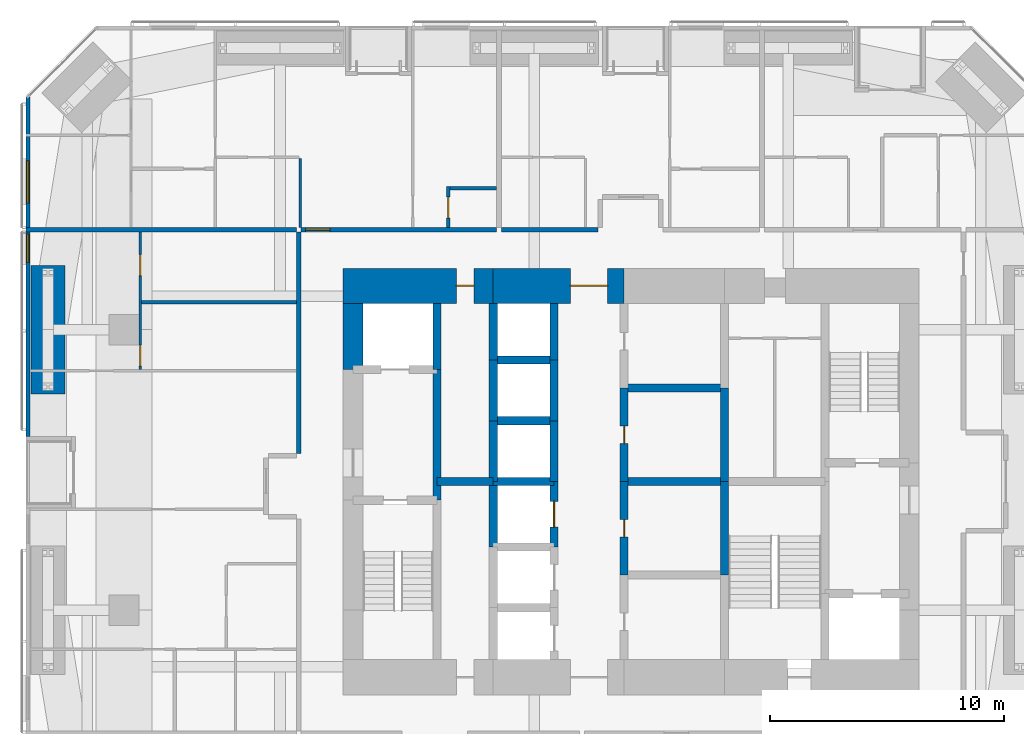
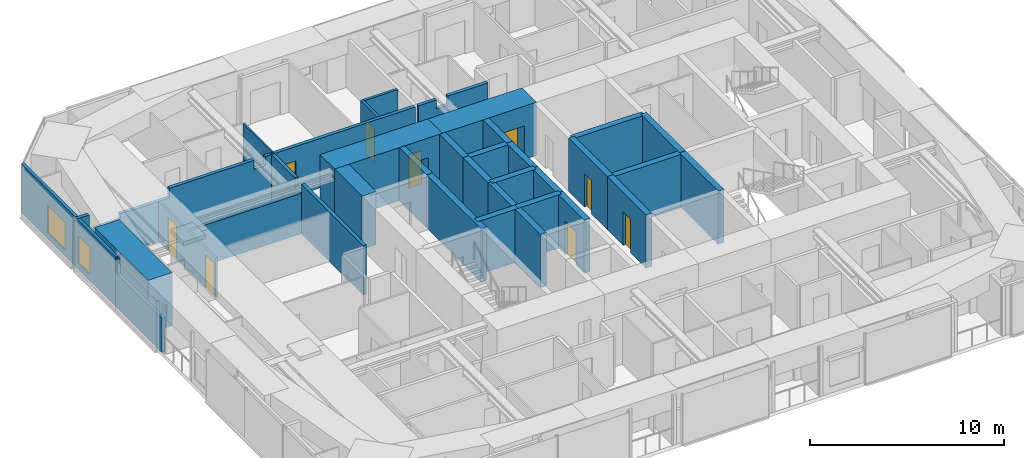
# One storey, part 19 of 24: 34 walls, 9 doors, 2 windows, 11 openings.
"""IFC4 building model written with IfcOpenShell, lengths in metres."""

import ifcopenshell
import ifcopenshell.guid

model = None  # the IFC model being written
_history = None  # IfcOwnerHistory: only IFC2X3 demands one
_inside = {}  # id of a spatial element -> (the spatial element, [elements in it])
_under = {}  # id of a project, library or spatial element -> (it, [spatial elements below it])
_declared = {}  # id of a project -> (the project, [libraries it declares])
_typed = {}  # id of a type object -> (the type object, [elements of that type])
_made_of = {}  # id of a material, layer set ... -> (it, [elements and type objects made of it])


def new_model(schema):
    """Start an empty IFC model of exactly this schema.

    Asked for "IFC4X3", IfcOpenShell would pick the latest addendum, in which some entities
    have other attributes; the version numbers below select the first issue.
    IFC2X3 requires an IfcOwnerHistory on every rooted entity: one is made here for all.
    """
    global model, _history
    if schema == "IFC4X3":
        model = ifcopenshell.file(schema_version=(4, 3, 0, 0))
    else:
        model = ifcopenshell.file(schema=schema)
    _inside.clear()
    _under.clear()
    _declared.clear()
    _typed.clear()
    _made_of.clear()
    _history = None
    if model.schema == "IFC2X3":
        org = make("IfcOrganization", Name="unknown")
        user = make(
            "IfcPersonAndOrganization",
            ThePerson=make("IfcPerson", FamilyName="unknown"),
            TheOrganization=org,
        )
        app = make(
            "IfcApplication",
            ApplicationDeveloper=org,
            Version="unknown",
            ApplicationFullName="unknown",
            ApplicationIdentifier="unknown",
        )
        _history = make(
            "IfcOwnerHistory",
            OwningUser=user,
            OwningApplication=app,
            ChangeAction="ADDED",
            CreationDate=0,
        )
    return model


def make(cls, **values):
    """One entity of the class cls with the attributes given. An attribute that is None is left unset."""
    return model.create_entity(
        cls, **{name: value for name, value in values.items() if value is not None}
    )


def rooted(cls, **values):
    """An entity with a GlobalId (a new one), such as an element, a storey or a relation."""
    return make(cls, GlobalId=ifcopenshell.guid.new(), OwnerHistory=_history, **values)


def si_unit(unit_type, name, prefix=None):
    """IfcSIUnit, for example si_unit("LENGTHUNIT", "METRE", prefix="MILLI")."""
    return make("IfcSIUnit", UnitType=unit_type, Prefix=prefix, Name=name)


def assignment(units):
    """IfcUnitAssignment: the units of a project."""
    return None if units is None else make("IfcUnitAssignment", Units=units)


def point(xyz):
    """IfcCartesianPoint."""
    return None if xyz is None else make("IfcCartesianPoint", Coordinates=xyz)


def direction(xyz):
    """IfcDirection."""
    return None if xyz is None else make("IfcDirection", DirectionRatios=xyz)


def frame(location, z_axis=None, x_axis=None):
    """IfcAxis2Placement3D, a coordinate frame: its origin and axes. An axis left out is left unset."""
    return make(
        "IfcAxis2Placement3D",
        Location=point(location),
        Axis=direction(z_axis),
        RefDirection=direction(x_axis),
    )


def frame_2d(location, x_axis=None):
    """IfcAxis2Placement2D, a coordinate frame in the plane: its origin and x axis."""
    return make(
        "IfcAxis2Placement2D", Location=point(location), RefDirection=direction(x_axis)
    )


def origin():
    """The frame at (0, 0, 0) with its axes left unset."""
    return frame((0.0, 0.0, 0.0))


def place(relative_to, where):
    """IfcLocalPlacement: puts the frame where relative to a parent placement (None: the world)."""
    return make(
        "IfcLocalPlacement", PlacementRelTo=relative_to, RelativePlacement=where
    )


def context(
    kind, dimensions, precision=None, world=None, true_north=None, identifier=None
):
    """IfcGeometricRepresentationContext, for example the 3D "Model" context."""
    return make(
        "IfcGeometricRepresentationContext",
        ContextIdentifier=identifier,
        ContextType=kind,
        CoordinateSpaceDimension=dimensions,
        Precision=precision,
        WorldCoordinateSystem=world,
        TrueNorth=true_north,
    )


def subcontext(parent, identifier, kind, view, scale=None):
    """IfcGeometricRepresentationSubContext, for example "Body" below "Model"."""
    return make(
        "IfcGeometricRepresentationSubContext",
        ContextIdentifier=identifier,
        ContextType=kind,
        ParentContext=parent,
        TargetScale=scale,
        TargetView=view,
    )


def project(units=None, contexts=None):
    """IfcProject with its units and contexts."""
    return rooted(
        "IfcProject",
        Name="project",
        RepresentationContexts=contexts,
        UnitsInContext=assignment(units),
    )


def spatial(cls, under=None, at=None, **own):
    """A site, building, storey or space (cls), placed at a placement, below another one or the project."""
    s = rooted(cls, ObjectPlacement=at, **own)
    if under is not None:
        _under.setdefault(under.id(), (under, []))[1].append(s)
    return s


def polyline(points):
    """IfcPolyline through the points."""
    return make("IfcPolyline", Points=[point(p) for p in points])


def profile(cls, at=None, kind="AREA", **sizes):
    """A parametric profile (cls). Its sizes go by their IFC names, for example OverallWidth=200.0."""
    return make(cls, ProfileType=kind, Position=at, **sizes)


def rectangle(**sizes):
    """IfcRectangleProfileDef."""
    return profile("IfcRectangleProfileDef", **sizes)


def outline(outer, holes=None, kind="AREA"):
    """IfcArbitraryClosedProfileDef: a profile drawn as a closed curve; with holes, ...WithVoids."""
    if holes is None:
        return make("IfcArbitraryClosedProfileDef", ProfileType=kind, OuterCurve=outer)
    return make(
        "IfcArbitraryProfileDefWithVoids",
        ProfileType=kind,
        OuterCurve=outer,
        InnerCurves=holes,
    )


def extrude(swept, where, along, depth):
    """IfcExtrudedAreaSolid: the profile swept, set in the frame where, extruded along a direction by depth."""
    return make(
        "IfcExtrudedAreaSolid",
        SweptArea=swept,
        Position=where,
        ExtrudedDirection=direction(along),
        Depth=depth,
    )


def shape(context_of_items, identifier, shape_type, items):
    """IfcShapeRepresentation: the items that make up one representation, for example the "Body"."""
    return make(
        "IfcShapeRepresentation",
        ContextOfItems=context_of_items,
        RepresentationIdentifier=identifier,
        RepresentationType=shape_type,
        Items=items,
    )


def material(Name=None, Category=None):
    """IfcMaterial."""
    return make("IfcMaterial", Name=Name, Category=Category)


def layer(
    of_material, thickness, ventilated=None, Name=None, Category=None, Priority=None
):
    """IfcMaterialLayer: one layer of a wall or slab, of a material (None: an air gap)."""
    return make(
        "IfcMaterialLayer",
        Material=of_material,
        LayerThickness=thickness,
        IsVentilated=ventilated,
        Name=Name,
        Category=Category,
        Priority=Priority,
    )


def layer_set(layers, Name=None):
    """IfcMaterialLayerSet."""
    return make("IfcMaterialLayerSet", MaterialLayers=layers, LayerSetName=Name)


def constituent(of_material, Name=None, Category=None, fraction=None):
    """IfcMaterialConstituent: one of the materials an element consists of."""
    return make(
        "IfcMaterialConstituent",
        Name=Name,
        Material=of_material,
        Fraction=fraction,
        Category=Category,
    )


def constituent_set(constituents=None, Name=None):
    """IfcMaterialConstituentSet."""
    return make(
        "IfcMaterialConstituentSet", Name=Name, MaterialConstituents=constituents
    )


def made_of(thing, what):
    """Note that an element or type object is made of a material, layer set ...; save() writes the relation."""
    if what is not None:
        _made_of.setdefault(what.id(), (what, []))[1].append(thing)
    return thing


def type_object(cls, material=None, **own):
    """A type object (cls), such as IfcWallType, which elements share."""
    return made_of(rooted(cls, **own), material)


def element(
    cls,
    number,
    at=None,
    inside=None,
    cuts=None,
    type_object=None,
    material=None,
    context=None,
    identifier="Body",
    shape_type=None,
    held_by="IfcProductDefinitionShape",
    body=None,
    shapes=None,
    **own,
):
    """One element of the class cls, such as IfcWall. Its Tag is "e" and its number.

    at: its placement. inside: the storey or other place that contains it. cuts: it is an
    opening in that element (IfcRelVoidsElement). A single representation is given by context,
    identifier, shape_type and body (its items); several are given by shapes. held_by: the class
    of the entity that holds the representations. save() writes the other relations.
    """
    e = rooted(cls, Tag="e%d" % number, ObjectPlacement=at, **own)
    if body is not None:
        shapes = [shape(context, identifier, shape_type, body)]
    if shapes is not None:
        e.Representation = make(held_by, Representations=shapes)
    if inside is not None:
        _inside.setdefault(inside.id(), (inside, []))[1].append(e)
    if cuts is not None:
        rooted(
            "IfcRelVoidsElement", RelatingBuildingElement=cuts, RelatedOpeningElement=e
        )
    if type_object is not None:
        _typed.setdefault(type_object.id(), (type_object, []))[1].append(e)
    return made_of(e, material)


def fill(opening, filler):
    """IfcRelFillsElement: the door or window that sits in an opening."""
    return rooted(
        "IfcRelFillsElement",
        RelatingOpeningElement=opening,
        RelatedBuildingElement=filler,
    )


def aggregate(whole, parts):
    """IfcRelAggregates: a whole, such as a stair, and the parts it consists of."""
    return rooted("IfcRelAggregates", RelatingObject=whole, RelatedObjects=parts)


def save(model, path):
    """Write the relations noted so far, then the file.

    IfcRelAggregates (storeys below a building ...), IfcRelContainedInSpatialStructure (elements
    in a storey), IfcRelDefinesByType, IfcRelAssociatesMaterial and IfcRelDeclares: one each for
    every whole, place, type object, material and project.
    """
    for whole, parts in _under.values():
        aggregate(whole, parts)
    for where, things in _inside.values():
        rooted(
            "IfcRelContainedInSpatialStructure",
            RelatedElements=things,
            RelatingStructure=where,
        )
    for kind, things in _typed.values():
        rooted("IfcRelDefinesByType", RelatedObjects=things, RelatingType=kind)
    for what, things in _made_of.values():
        rooted("IfcRelAssociatesMaterial", RelatedObjects=things, RelatingMaterial=what)
    for by, libraries in _declared.values():
        rooted("IfcRelDeclares", RelatingContext=by, RelatedDefinitions=libraries)
    model.write(path)


model = new_model("IFC4")

# Units and contexts
model_context = context("Model", 3, precision=1e-05, world=origin(), true_north=direction((0.0, 1.0)))
body_context = subcontext(model_context, "Body", "Model", "MODEL_VIEW")
ifc_project = project(units=[si_unit("LENGTHUNIT", "METRE"), si_unit("AREAUNIT", "SQUARE_METRE"), si_unit("VOLUMEUNIT", "CUBIC_METRE"), si_unit("PLANEANGLEUNIT", "RADIAN"), si_unit("MASSUNIT", "GRAM", prefix="KILO")], contexts=[model_context])

# Site, building, storey
site_placement = place(None, origin())
site = spatial("IfcSite", under=ifc_project, at=site_placement, CompositionType="ELEMENT")
building_placement = place(site_placement, origin())
building = spatial("IfcBuilding", under=site, at=building_placement, Name="Jalousie Tower", CompositionType="ELEMENT")
storey_placement = place(building_placement, frame((0.0, 0.0, 91.449951171875)))
storey = spatial("IfcBuildingStorey", under=building, at=storey_placement, Name="L24", CompositionType="ELEMENT", Elevation=91.449951171875)

# Wall, opening, door
ifc_material_1 = material(Name="Concrete block ASTM C90", Category="concrete")
ifc_constituent_1 = constituent(ifc_material_1, Name="Body")
ifc_material_2 = material(Name="Render")
ifc_constituent_2 = constituent(ifc_material_2, Name="Finish")
ifc_constituent_set_1 = constituent_set(constituents=[ifc_constituent_1, ifc_constituent_2])
wall_type_1 = type_object("IfcWallType", Name="BATHROOM WALL 150", PredefinedType="PLUMBINGWALL", material=ifc_constituent_set_1)
wall_1_placement = place(storey_placement, frame((24.074951171875, 29.375, 0.0), z_axis=(0.0, 0.0, 1.0), x_axis=(0.0, 1.0, 0.0)))
wall_1 = element("IfcWall", 1, at=wall_1_placement, inside=storey, type_object=wall_type_1, Name="Bathroom Wall 150 L24", PredefinedType="PLUMBINGWALL", context=body_context, shape_type="SweptSolid", body=[
    extrude(rectangle(XDim=1.75, YDim=0.14990234375, at=frame_2d((0.875, 0.0))), origin(), (0.0, 0.0, 1.0), 3.110107421875),
])
opening_1_placement = place(wall_1_placement, frame((0.39990234375, 0.0, 0.0)))
opening_1 = element("IfcOpeningElement", 2, at=opening_1_placement, cuts=wall_1, Name="Opening D7", PredefinedType="OPENING", context=body_context, shape_type="SweptSolid", body=[
    extrude(rectangle(XDim=0.89990234375, YDim=2.10009765625, at=frame_2d((0.449951171875, 1.050048828125))), frame((0.0, 0.0849609375, 0.0), z_axis=(0.0, -1.0, 0.0), x_axis=(1.0, 0.0, 0.0)), (0.0, 0.0, 1.0), 0.169921875),
])
ifc_material_3 = material(Name="Timber door", Category="wood")
door_type_1 = type_object("IfcDoorType", Name="INTERNAL DOOR 900", OperationType="SINGLE_SWING_LEFT", PredefinedType="DOOR", material=ifc_material_3)
door_1_placement = place(opening_1_placement, frame((0.89990234375, 0.0, 0.0), z_axis=(0.0, 0.0, 1.0), x_axis=(-1.0, 0.0, 0.0)))
door_1 = element("IfcDoor", 3, at=door_1_placement, inside=storey, type_object=door_type_1, Name="Apartment 2404 guest WC door", OperationType="SINGLE_SWING_LEFT", OverallHeight=2.10009765625, OverallWidth=0.89990234375, PredefinedType="DOOR", context=body_context, shape_type="SweptSolid", body=[
    extrude(rectangle(XDim=0.89990234375, YDim=2.10009765625, at=frame_2d((0.449951171875, 1.050048828125))), frame((0.0, 0.02490234375, 0.0), z_axis=(0.0, -1.0, 0.0), x_axis=(1.0, 0.0, 0.0)), (0.0, 0.0, 1.0), 0.050048828125),
])
fill(opening_1, door_1)

# Walls
wall_2_placement = place(storey_placement, frame((26.14990234375, 31.050048828125, 0.0), z_axis=(0.0, 0.0, 1.0), x_axis=(-1.0, 0.0, 0.0)))
element("IfcWall", 4, at=wall_2_placement, inside=storey, type_object=wall_type_1, Name="Bathroom Wall 150 L24", PredefinedType="PLUMBINGWALL", context=body_context, shape_type="SweptSolid", body=[
    extrude(rectangle(XDim=2.0, YDim=0.14990234375, at=frame_2d((1.0, 0.0))), origin(), (0.0, 0.0, 1.0), 3.110107421875),
])
wall_3_placement = place(storey_placement, frame((10.949951171875, 26.166748046875, 0.0), z_axis=(0.0, 0.0, 1.0), x_axis=(1.0, 0.0, 0.0)))
element("IfcWall", 5, at=wall_3_placement, inside=storey, type_object=wall_type_1, Name="Bathroom Wall 150 L24", PredefinedType="PLUMBINGWALL", context=body_context, shape_type="SweptSolid", body=[
    extrude(outline(polyline([(0.0, 0.0), (6.625, 0.0), (6.625, 3.110107421875), (6.625, 2.541015625), (0.534912109375, 2.541015625), (0.534912109375, 2.510009765625), (0.0, 2.510009765625), (0.0, 3.110107421875), (0.0, 0.0)])), frame((0.0, 0.074951171875, 0.0), z_axis=(0.0, -1.0, 0.0), x_axis=(1.0, 0.0, 0.0)), (0.0, 0.0, 1.0), 0.14990234375),
])

# Wall, opening, door
ifc_material_4 = material(Name="Concrete f'c 120 MPa", Category="concrete")
ifc_layer_1 = layer(ifc_material_4, 1.5)
ifc_layer_set_1 = layer_set([ifc_layer_1], Name="Concrete f'c 120 MPa")
wall_type_2 = type_object("IfcWallType", Name="CORE WALL 1500", PredefinedType="SHEAR", material=ifc_layer_set_1)
wall_4_placement = place(storey_placement, frame((31.60009765625, 26.875, 0.0), z_axis=(0.0, 0.0, 1.0), x_axis=(-1.0, 0.0, 0.0)))
wall_4 = element("IfcWall", 6, at=wall_4_placement, inside=storey, type_object=wall_type_2, Name="Core wall NC L24", PredefinedType="SHEAR", context=body_context, shape_type="SweptSolid", body=[
    extrude(rectangle(XDim=5.60009765625, YDim=1.5, at=frame_2d((2.800048828125, 0.0))), origin(), (0.0, 0.0, 1.0), 3.35009765625),
])
opening_2_placement = place(wall_4_placement, frame((0.699951171875, 0.0, 0.0)))
opening_2 = element("IfcOpeningElement", 7, at=opening_2_placement, cuts=wall_4, Name="Opening D15", PredefinedType="OPENING", context=body_context, shape_type="SweptSolid", body=[
    extrude(rectangle(XDim=1.60009765625, YDim=2.10009765625, at=frame_2d((0.800048828125, 1.050048828125))), frame((0.0, 0.760009765625, 0.0), z_axis=(0.0, -1.0, 0.0), x_axis=(1.0, 0.0, 0.0)), (0.0, 0.0, 1.0), 1.52001953125),
])
ifc_material_5 = material(Name="Steel fire door", Category="steel")
door_type_2 = type_object("IfcDoorType", Name="LIFT LOBBY DOOR 1600", OperationType="DOUBLE_DOOR_SINGLE_SWING", PredefinedType="DOOR", material=ifc_material_5)
door_2_placement = place(opening_2_placement, origin())
door_2 = element("IfcDoor", 8, at=door_2_placement, inside=storey, type_object=door_type_2, Name="Lift lobby north door", OperationType="DOUBLE_DOOR_SINGLE_SWING", OverallHeight=2.10009765625, OverallWidth=1.60009765625, PredefinedType="DOOR", context=body_context, shape_type="SweptSolid", body=[
    extrude(rectangle(XDim=1.60009765625, YDim=2.10009765625, at=frame_2d((0.800048828125, 1.050048828125))), frame((0.0, 0.02490234375, 0.0), z_axis=(0.0, -1.0, 0.0), x_axis=(1.0, 0.0, 0.0)), (0.0, 0.0, 1.0), 0.050048828125),
])
fill(opening_2, door_2)

wall_5_placement = place(storey_placement, frame((26.0, 26.875, 0.0), z_axis=(0.0, 0.0, 1.0), x_axis=(-1.0, 0.0, 0.0)))
wall_5 = element("IfcWall", 9, at=wall_5_placement, inside=storey, type_object=wall_type_2, Name="Core wall ND L24", PredefinedType="SHEAR", context=body_context, shape_type="SweptSolid", body=[
    extrude(rectangle(XDim=6.425048828125, YDim=1.5, at=frame_2d((3.21240234375, 0.0))), origin(), (0.0, 0.0, 1.0), 3.35009765625),
])
opening_3_placement = place(wall_5_placement, frame((0.824951171875, 0.0, 0.0)))
opening_3 = element("IfcOpeningElement", 10, at=opening_3_placement, cuts=wall_5, Name="Opening D16", PredefinedType="OPENING", context=body_context, shape_type="SweptSolid", body=[
    extrude(rectangle(XDim=0.75, YDim=2.10009765625, at=frame_2d((0.375, 1.050048828125))), frame((0.0, 0.760009765625, 0.0), z_axis=(0.0, -1.0, 0.0), x_axis=(1.0, 0.0, 0.0)), (0.0, 0.0, 1.0), 1.52001953125),
])
ifc_material_6 = material(Name="Steel fire door", Category="steel")
door_type_3 = type_object("IfcDoorType", Name="RISER DOOR 750", OperationType="SINGLE_SWING_LEFT", PredefinedType="DOOR", material=ifc_material_6)
door_3_placement = place(opening_3_placement, origin())
door_3 = element("IfcDoor", 11, at=door_3_placement, inside=storey, type_object=door_type_3, Name="North riser door", OperationType="SINGLE_SWING_RIGHT", OverallHeight=2.10009765625, OverallWidth=0.75, PredefinedType="DOOR", context=body_context, shape_type="SweptSolid", body=[
    extrude(rectangle(XDim=0.75, YDim=2.10009765625, at=frame_2d((0.375, 1.050048828125))), frame((0.0, 0.02490234375, 0.0), z_axis=(0.0, -1.0, 0.0), x_axis=(1.0, 0.0, 0.0)), (0.0, 0.0, 1.0), 0.050048828125),
])
fill(opening_3, door_3)

# Walls
ifc_material_7 = material(Name="Concrete f'c 120 MPa", Category="concrete")
ifc_layer_2 = layer(ifc_material_7, 0.35009765625)
ifc_layer_set_2 = layer_set([ifc_layer_2], Name="Concrete f'c 120 MPa")
wall_type_3 = type_object("IfcWallType", Name="CORE WALL 350", PredefinedType="SHEAR", material=ifc_layer_set_2)
wall_6_placement = place(storey_placement, frame((23.60009765625, 17.699951171875, 0.0), z_axis=(0.0, 0.0, 1.0), x_axis=(0.0, 1.0, 0.0)))
element("IfcWall", 12, at=wall_6_placement, inside=storey, type_object=wall_type_3, Name="Core wall X23.6B L24", PredefinedType="SHEAR", context=body_context, shape_type="SweptSolid", body=[
    extrude(rectangle(XDim=5.60009765625, YDim=0.35009765625, at=frame_2d((2.800048828125, 0.0))), origin(), (0.0, 0.0, 1.0), 3.35009765625),
])
wall_7_placement = place(storey_placement, frame((23.60009765625, 23.300048828125, 0.0), z_axis=(0.0, 0.0, 1.0), x_axis=(0.0, 1.0, 0.0)))
element("IfcWall", 13, at=wall_7_placement, inside=storey, type_object=wall_type_3, Name="Core wall X23.6C L24", PredefinedType="SHEAR", context=body_context, shape_type="SweptSolid", body=[
    extrude(rectangle(XDim=2.824951171875, YDim=0.35009765625, at=frame_2d((1.41259765625, 0.0))), origin(), (0.0, 0.0, 1.0), 3.35009765625),
])
wall_8_placement = place(storey_placement, frame((26.0, 15.699951171875, 0.0), z_axis=(0.0, 0.0, 1.0), x_axis=(0.0, 1.0, 0.0)))
element("IfcWall", 14, at=wall_8_placement, inside=storey, type_object=wall_type_3, Name="Core wall X26C L24", PredefinedType="SHEAR", context=body_context, shape_type="SweptSolid", body=[
    extrude(rectangle(XDim=2.800048828125, YDim=0.35009765625, at=frame_2d((1.39990234375, 0.0))), origin(), (0.0, 0.0, 1.0), 3.35009765625),
])
wall_9_placement = place(storey_placement, frame((26.0, 18.5, 0.0), z_axis=(0.0, 0.0, 1.0), x_axis=(0.0, 1.0, 0.0)))
element("IfcWall", 15, at=wall_9_placement, inside=storey, type_object=wall_type_3, Name="Core wall X26D L24", PredefinedType="SHEAR", context=body_context, shape_type="SweptSolid", body=[
    extrude(rectangle(XDim=2.60009765625, YDim=0.35009765625, at=frame_2d((1.300048828125, 0.0))), origin(), (0.0, 0.0, 1.0), 3.35009765625),
])
wall_10_placement = place(storey_placement, frame((26.0, 21.10009765625, 0.0), z_axis=(0.0, 0.0, 1.0), x_axis=(0.0, 1.0, 0.0)))
element("IfcWall", 16, at=wall_10_placement, inside=storey, type_object=wall_type_3, Name="Core wall X26E L24", PredefinedType="SHEAR", context=body_context, shape_type="SweptSolid", body=[
    extrude(rectangle(XDim=2.599853515625, YDim=0.35009765625, at=frame_2d((1.2998046875, 0.0))), origin(), (0.0, 0.0, 1.0), 3.35009765625),
])
wall_11_placement = place(storey_placement, frame((26.0, 23.699951171875, 0.0), z_axis=(0.0, 0.0, 1.0), x_axis=(0.0, 1.0, 0.0)))
element("IfcWall", 17, at=wall_11_placement, inside=storey, type_object=wall_type_3, Name="Core wall X26F L24", PredefinedType="SHEAR", context=body_context, shape_type="SweptSolid", body=[
    extrude(rectangle(XDim=2.425048828125, YDim=0.35009765625, at=frame_2d((1.21240234375, 0.0))), origin(), (0.0, 0.0, 1.0), 3.35009765625),
])

# Wall, opening, door
wall_12_placement = place(storey_placement, frame((28.60009765625, 15.699951171875, 0.0), z_axis=(0.0, 0.0, 1.0), x_axis=(0.0, 1.0, 0.0)))
wall_12 = element("IfcWall", 18, at=wall_12_placement, inside=storey, type_object=wall_type_3, Name="Core wall X28.6C L24", PredefinedType="SHEAR", context=body_context, shape_type="SweptSolid", body=[
    extrude(rectangle(XDim=2.800048828125, YDim=0.35009765625, at=frame_2d((1.39990234375, 0.0))), origin(), (0.0, 0.0, 1.0), 3.35009765625),
])
opening_4_placement = place(wall_12_placement, frame((0.85009765625, 0.0, 0.0)))
opening_4 = element("IfcOpeningElement", 19, at=opening_4_placement, cuts=wall_12, Name="Opening LD1", PredefinedType="OPENING", context=body_context, shape_type="SweptSolid", body=[
    extrude(rectangle(XDim=1.10009765625, YDim=2.10009765625, at=frame_2d((0.550048828125, 1.050048828125))), frame((0.0, 0.18505859375, 0.0), z_axis=(0.0, -1.0, 0.0), x_axis=(1.0, 0.0, 0.0)), (0.0, 0.0, 1.0), 0.3701171875),
])
ifc_material_8 = material(Name="Steel lift landing door", Category="steel")
door_type_4 = type_object("IfcDoorType", Name="LIFT LANDING DOOR 1100", OperationType="SLIDING_TO_LEFT", PredefinedType="DOOR", material=ifc_material_8)
door_4_placement = place(opening_4_placement, origin())
door_4 = element("IfcDoor", 20, at=door_4_placement, inside=storey, type_object=door_type_4, Name="Lift P3 landing door", OperationType="SLIDING_TO_LEFT", OverallHeight=2.10009765625, OverallWidth=1.10009765625, PredefinedType="DOOR", context=body_context, shape_type="SweptSolid", body=[
    extrude(rectangle(XDim=1.10009765625, YDim=2.10009765625, at=frame_2d((0.550048828125, 1.050048828125))), frame((0.0, 0.02490234375, 0.0), z_axis=(0.0, -1.0, 0.0), x_axis=(1.0, 0.0, 0.0)), (0.0, 0.0, 1.0), 0.050048828125),
])
fill(opening_4, door_4)

# Walls
wall_13_placement = place(storey_placement, frame((28.60009765625, 18.5, 0.0), z_axis=(0.0, 0.0, 1.0), x_axis=(0.0, 1.0, 0.0)))
element("IfcWall", 21, at=wall_13_placement, inside=storey, type_object=wall_type_3, Name="Core wall X28.6D L24", PredefinedType="SHEAR", context=body_context, shape_type="SweptSolid", body=[
    extrude(rectangle(XDim=2.60009765625, YDim=0.35009765625, at=frame_2d((1.300048828125, 0.0))), origin(), (0.0, 0.0, 1.0), 3.35009765625),
])
wall_14_placement = place(storey_placement, frame((28.60009765625, 21.10009765625, 0.0), z_axis=(0.0, 0.0, 1.0), x_axis=(0.0, 1.0, 0.0)))
element("IfcWall", 22, at=wall_14_placement, inside=storey, type_object=wall_type_3, Name="Core wall X28.6E L24", PredefinedType="SHEAR", context=body_context, shape_type="SweptSolid", body=[
    extrude(rectangle(XDim=2.599853515625, YDim=0.35009765625, at=frame_2d((1.2998046875, 0.0))), origin(), (0.0, 0.0, 1.0), 3.35009765625),
])
wall_15_placement = place(storey_placement, frame((28.60009765625, 23.699951171875, 0.0), z_axis=(0.0, 0.0, 1.0), x_axis=(0.0, 1.0, 0.0)))
element("IfcWall", 23, at=wall_15_placement, inside=storey, type_object=wall_type_3, Name="Core wall X28.6F L24", PredefinedType="SHEAR", context=body_context, shape_type="SweptSolid", body=[
    extrude(rectangle(XDim=2.425048828125, YDim=0.35009765625, at=frame_2d((1.21240234375, 0.0))), origin(), (0.0, 0.0, 1.0), 3.35009765625),
])

# Wall, opening, door
wall_16_placement = place(storey_placement, frame((31.60009765625, 14.5, 0.0), z_axis=(0.0, 0.0, 1.0), x_axis=(0.0, 1.0, 0.0)))
wall_16 = element("IfcWall", 24, at=wall_16_placement, inside=storey, type_object=wall_type_3, Name="Core wall X31.6B L24", PredefinedType="SHEAR", context=body_context, shape_type="SweptSolid", body=[
    extrude(rectangle(XDim=4.0, YDim=0.35009765625, at=frame_2d((2.0, 0.0))), origin(), (0.0, 0.0, 1.0), 3.35009765625),
])
opening_5_placement = place(wall_16_placement, frame((1.625, 0.0, 0.0)))
opening_5 = element("IfcOpeningElement", 25, at=opening_5_placement, cuts=wall_16, Name="Opening D16", PredefinedType="OPENING", context=body_context, shape_type="SweptSolid", body=[
    extrude(rectangle(XDim=0.75, YDim=2.10009765625, at=frame_2d((0.375, 1.050048828125))), frame((0.0, 0.18505859375, 0.0), z_axis=(0.0, -1.0, 0.0), x_axis=(1.0, 0.0, 0.0)), (0.0, 0.0, 1.0), 0.3701171875),
])
door_5_placement = place(opening_5_placement, frame((0.75, 0.0, 0.0), z_axis=(0.0, 0.0, 1.0), x_axis=(-1.0, 0.0, 0.0)))
door_5 = element("IfcDoor", 26, at=door_5_placement, inside=storey, type_object=door_type_3, Name="Electrical Room door", OperationType="SINGLE_SWING_RIGHT", OverallHeight=2.10009765625, OverallWidth=0.75, PredefinedType="DOOR", context=body_context, shape_type="SweptSolid", body=[
    extrude(rectangle(XDim=0.75, YDim=2.10009765625, at=frame_2d((0.375, 1.050048828125))), frame((0.0, 0.02490234375, 0.0), z_axis=(0.0, -1.0, 0.0), x_axis=(1.0, 0.0, 0.0)), (0.0, 0.0, 1.0), 0.050048828125),
])
fill(opening_5, door_5)

wall_17_placement = place(storey_placement, frame((31.60009765625, 18.5, 0.0), z_axis=(0.0, 0.0, 1.0), x_axis=(0.0, 1.0, 0.0)))
wall_17 = element("IfcWall", 27, at=wall_17_placement, inside=storey, type_object=wall_type_3, Name="Core wall X31.6C L24", PredefinedType="SHEAR", context=body_context, shape_type="SweptSolid", body=[
    extrude(rectangle(XDim=4.0, YDim=0.35009765625, at=frame_2d((2.0, 0.0))), origin(), (0.0, 0.0, 1.0), 3.35009765625),
])
opening_6_placement = place(wall_17_placement, frame((1.625, 0.0, 0.0)))
opening_6 = element("IfcOpeningElement", 28, at=opening_6_placement, cuts=wall_17, Name="Opening D16", PredefinedType="OPENING", context=body_context, shape_type="SweptSolid", body=[
    extrude(rectangle(XDim=0.75, YDim=2.10009765625, at=frame_2d((0.375, 1.050048828125))), frame((0.0, 0.18505859375, 0.0), z_axis=(0.0, -1.0, 0.0), x_axis=(1.0, 0.0, 0.0)), (0.0, 0.0, 1.0), 0.3701171875),
])
door_6_placement = place(opening_6_placement, frame((0.75, 0.0, 0.0), z_axis=(0.0, 0.0, 1.0), x_axis=(-1.0, 0.0, 0.0)))
door_6 = element("IfcDoor", 29, at=door_6_placement, inside=storey, type_object=door_type_3, Name="Telecom Room door", OperationType="SINGLE_SWING_RIGHT", OverallHeight=2.10009765625, OverallWidth=0.75, PredefinedType="DOOR", context=body_context, shape_type="SweptSolid", body=[
    extrude(rectangle(XDim=0.75, YDim=2.10009765625, at=frame_2d((0.375, 1.050048828125))), frame((0.0, 0.02490234375, 0.0), z_axis=(0.0, -1.0, 0.0), x_axis=(1.0, 0.0, 0.0)), (0.0, 0.0, 1.0), 0.050048828125),
])
fill(opening_6, door_6)

# Walls
for number, where, z_axis, x_axis, name in (
    (30, (35.89990234375, 14.5, 0.0), (0.0, 0.0, 1.0), (0.0, 1.0, 0.0), "Core wall X35.9B L24"),
    (31, (35.89990234375, 18.5, 0.0), (0.0, 0.0, 1.0), (0.0, 1.0, 0.0), "Core wall X35.9C L24"),
):
    element("IfcWall", number, at=place(storey_placement, frame(where, z_axis=z_axis, x_axis=x_axis)), inside=storey, type_object=wall_type_3, Name=name, PredefinedType="SHEAR", context=body_context, shape_type="SweptSolid", body=[
        extrude(rectangle(XDim=4.0, YDim=0.35009765625, at=frame_2d((2.0, 0.0))), origin(), (0.0, 0.0, 1.0), 3.35009765625),
    ])
wall_18_placement = place(storey_placement, frame((23.60009765625, 18.5, 0.0), z_axis=(0.0, 0.0, 1.0), x_axis=(1.0, 0.0, 0.0)))
element("IfcWall", 32, at=wall_18_placement, inside=storey, type_object=wall_type_3, Name="Core wall Y23.6-18.5 L24", PredefinedType="SHEAR", context=body_context, shape_type="SweptSolid", body=[
    extrude(rectangle(XDim=2.39990234375, YDim=0.35009765625, at=frame_2d((1.199951171875, 0.0))), origin(), (0.0, 0.0, 1.0), 3.35009765625),
])
for number, where, z_axis, x_axis, name in (
    (33, (26.0, 18.5, 0.0), (0.0, 0.0, 1.0), (1.0, 0.0, 0.0), "Core wall Y26-18.5 L24"),
    (34, (26.0, 21.10009765625, 0.0), (0.0, 0.0, 1.0), (1.0, 0.0, 0.0), "Core wall Y26-21.1 L24"),
    (35, (26.0, 23.699951171875, 0.0), (0.0, 0.0, 1.0), (1.0, 0.0, 0.0), "Core wall Y26-23.7 L24"),
):
    element("IfcWall", number, at=place(storey_placement, frame(where, z_axis=z_axis, x_axis=x_axis)), inside=storey, type_object=wall_type_3, Name=name, PredefinedType="SHEAR", context=body_context, shape_type="SweptSolid", body=[
        extrude(rectangle(XDim=2.60009765625, YDim=0.35009765625, at=frame_2d((1.300048828125, 0.0))), origin(), (0.0, 0.0, 1.0), 3.35009765625),
    ])
for number, where, z_axis, x_axis, name in (
    (36, (31.60009765625, 18.5, 0.0), (0.0, 0.0, 1.0), (1.0, 0.0, 0.0), "Core wall Y31.6-18.5 L24"),
    (37, (31.60009765625, 22.5, 0.0), (0.0, 0.0, 1.0), (1.0, 0.0, 0.0), "Core wall Y31.6-22.5 L24"),
):
    element("IfcWall", number, at=place(storey_placement, frame(where, z_axis=z_axis, x_axis=x_axis)), inside=storey, type_object=wall_type_3, Name=name, PredefinedType="SHEAR", context=body_context, shape_type="SweptSolid", body=[
        extrude(rectangle(XDim=4.2998046875, YDim=0.35009765625, at=frame_2d((2.14990234375, 0.0))), origin(), (0.0, 0.0, 1.0), 3.35009765625),
    ])
ifc_material_9 = material(Name="Concrete f'c 120 MPa", Category="concrete")
ifc_layer_3 = layer(ifc_material_9, 0.85009765625)
ifc_layer_set_3 = layer_set([ifc_layer_3], Name="Concrete f'c 120 MPa")
wall_type_4 = type_object("IfcWallType", Name="CORE WALL 850", PredefinedType="SHEAR", material=ifc_layer_set_3)
wall_19_placement = place(storey_placement, frame((20.0, 26.125, 0.0), z_axis=(0.0, 0.0, 1.0), x_axis=(0.0, -1.0, 0.0)))
element("IfcWall", 38, at=wall_19_placement, inside=storey, type_object=wall_type_4, Name="Core wall WA L24", PredefinedType="SHEAR", context=body_context, shape_type="SweptSolid", body=[
    extrude(rectangle(XDim=2.824951171875, YDim=0.85009765625, at=frame_2d((1.41259765625, 0.0))), origin(), (0.0, 0.0, 1.0), 3.35009765625),
])

# Wall, opening, door
ifc_material_10 = material(Name="Concrete block ASTM C90", Category="concrete")
ifc_constituent_3 = constituent(ifc_material_10, Name="Body")
ifc_material_11 = material(Name="Render")
ifc_constituent_4 = constituent(ifc_material_11, Name="Finish")
ifc_constituent_set_2 = constituent_set(constituents=[ifc_constituent_3, ifc_constituent_4])
wall_type_5 = type_object("IfcWallType", Name="CORRIDOR WALL 200", PredefinedType="PARTITIONING", material=ifc_constituent_set_2)
wall_20_placement = place(storey_placement, frame((17.77490234375, 29.27490234375, 0.0), z_axis=(0.0, 0.0, 1.0), x_axis=(1.0, 0.0, 0.0)))
wall_20 = element("IfcWall", 39, at=wall_20_placement, inside=storey, type_object=wall_type_5, Name="Corridor Wall 200 L24", PredefinedType="PARTITIONING", context=body_context, shape_type="SweptSolid", body=[
    extrude(rectangle(XDim=8.375, YDim=0.199951171875, at=frame_2d((4.1875, 0.0))), origin(), (0.0, 0.0, 1.0), 3.110107421875),
])
opening_7_placement = place(wall_20_placement, frame((0.199951171875, 0.0, 0.0)))
opening_7 = element("IfcOpeningElement", 40, at=opening_7_placement, cuts=wall_20, Name="Opening D1", PredefinedType="OPENING", context=body_context, shape_type="SweptSolid", body=[
    extrude(rectangle(XDim=1.050048828125, YDim=2.199951171875, at=frame_2d((0.52490234375, 1.10009765625))), frame((0.0, 0.10986328125, 0.0), z_axis=(0.0, -1.0, 0.0), x_axis=(1.0, 0.0, 0.0)), (0.0, 0.0, 1.0), 0.219970703125),
])
ifc_material_12 = material(Name="Timber fire door", Category="wood")
door_type_5 = type_object("IfcDoorType", Name="APARTMENT ENTRANCE DOOR 1050", OperationType="SINGLE_SWING_LEFT", PredefinedType="DOOR", material=ifc_material_12)
door_7_placement = place(opening_7_placement, origin())
door_7 = element("IfcDoor", 41, at=door_7_placement, inside=storey, type_object=door_type_5, Name="Apartment 2404 entrance", OperationType="SINGLE_SWING_LEFT", OverallHeight=2.199951171875, OverallWidth=1.050048828125, PredefinedType="DOOR", context=body_context, shape_type="SweptSolid", body=[
    extrude(rectangle(XDim=1.050048828125, YDim=2.199951171875, at=frame_2d((0.52490234375, 1.10009765625))), frame((0.0, 0.02490234375, 0.0), z_axis=(0.0, -1.0, 0.0), x_axis=(1.0, 0.0, 0.0)), (0.0, 0.0, 1.0), 0.050048828125),
])
fill(opening_7, door_7)

# Walls
wall_21_placement = place(storey_placement, frame((26.35009765625, 29.27490234375, 0.0), z_axis=(0.0, 0.0, 1.0), x_axis=(1.0, 0.0, 0.0)))
element("IfcWall", 42, at=wall_21_placement, inside=storey, type_object=wall_type_5, Name="Corridor Wall 200 L24", PredefinedType="PARTITIONING", context=body_context, shape_type="SweptSolid", body=[
    extrude(outline(polyline([(0.0, 0.0), (4.125, 0.0), (4.125, 3.110107421875), (1.7373046875, 3.110107421875), (1.7373046875, 2.541015625), (1.0625, 2.541015625), (1.0625, 3.110107421875), (0.0, 3.110107421875), (0.0, 0.0)])), frame((0.0, 0.10009765625, 0.0), z_axis=(0.0, -1.0, 0.0), x_axis=(1.0, 0.0, 0.0)), (0.0, 0.0, 1.0), 0.199951171875),
])
wall_22_placement = place(storey_placement, frame((17.675048828125, 19.699951171875, 0.0), z_axis=(0.0, 0.0, 1.0), x_axis=(0.0, 1.0, 0.0)))
element("IfcWall", 43, at=wall_22_placement, inside=storey, type_object=wall_type_5, Name="Corridor Wall 200 L24", PredefinedType="PARTITIONING", context=body_context, shape_type="SweptSolid", body=[
    extrude(outline(polyline([(0.0, 0.0), (9.47509765625, 0.0), (9.47509765625, 3.110107421875), (7.062255859375, 3.110107421875), (7.062255859375, 2.541015625), (6.3876953125, 2.541015625), (6.3876953125, 3.110107421875), (0.0, 3.110107421875), (0.0, 0.0)])), frame((0.0, 0.10009765625, 0.0), z_axis=(0.0, -1.0, 0.0), x_axis=(1.0, 0.0, 0.0)), (0.0, 0.0, 1.0), 0.199951171875),
])

# Wall, openings, windows
ifc_material_13 = material(Name="Concrete f'c 40 MPa", Category="concrete")
ifc_constituent_5 = constituent(ifc_material_13, Name="Body")
ifc_material_14 = material(Name="Render, pastel sea green")
ifc_constituent_6 = constituent(ifc_material_14, Name="Finish")
ifc_constituent_set_3 = constituent_set(constituents=[ifc_constituent_5, ifc_constituent_6])
wall_type_6 = type_object("IfcWallType", Name="EXTERNAL WALL 175 SEA GREEN RENDER", PredefinedType="SOLIDWALL", material=ifc_constituent_set_3)
wall_23_placement = place(storey_placement, frame((6.08740234375, 34.94873046875, 0.0), z_axis=(0.0, 0.0, 1.0), x_axis=(0.0, -1.0, 0.0)))
wall_23 = element("IfcWall", 44, at=wall_23_placement, inside=storey, type_object=wall_type_6, Name="External Wall 175 Sea Green Render L24", PredefinedType="SOLIDWALL", context=body_context, shape_type="SweptSolid", body=[
    extrude(outline(polyline([(0.0, 0.0), (14.531982421875, 0.0), (14.531982421875, 2.150146484375), (9.94873046875, 2.150146484375), (9.94873046875, 3.110107421875), (9.822998046875, 3.110107421875), (9.822998046875, 2.150146484375), (9.72998046875, 2.150146484375), (9.72998046875, 3.110107421875), (0.0, 3.110107421875), (0.0, 0.0)])), frame((0.0, 0.08740234375, 0.0), z_axis=(0.0, -1.0, 0.0), x_axis=(1.0, 0.0, 0.0)), (0.0, 0.0, 1.0), 0.175048828125),
])
opening_8_placement = place(wall_23_placement, frame((2.72412109375, 0.0, 0.39990234375)))
opening_8 = element("IfcOpeningElement", 45, at=opening_8_placement, cuts=wall_23, Name="Opening W-BED170", PredefinedType="OPENING", context=body_context, shape_type="SweptSolid", body=[
    extrude(rectangle(XDim=1.800048828125, YDim=1.699951171875, at=frame_2d((0.89990234375, 0.85009765625))), frame((0.0, 0.097412109375, 0.0), z_axis=(0.0, -1.0, 0.0), x_axis=(1.0, 0.0, 0.0)), (0.0, 0.0, 1.0), 0.195068359375),
])
opening_9_placement = place(wall_23_placement, frame((5.873779296875, 0.0, 0.39990234375)))
opening_9 = element("IfcOpeningElement", 46, at=opening_9_placement, cuts=wall_23, Name="Opening W-COR170", PredefinedType="OPENING", context=body_context, shape_type="SweptSolid", body=[
    extrude(rectangle(XDim=1.199951171875, YDim=1.699951171875, at=frame_2d((0.60009765625, 0.85009765625))), frame((0.0, 0.097412109375, 0.0), z_axis=(0.0, -1.0, 0.0), x_axis=(1.0, 0.0, 0.0)), (0.0, 0.0, 1.0), 0.195068359375),
])
ifc_material_15 = material(Name="Aluminium frame, impact-rated glazing", Category="aluminium")
window_type_1 = type_object("IfcWindowType", Name="WINDOW BED 1800x1700", PartitioningType="SINGLE_PANEL", PredefinedType="WINDOW", material=ifc_material_15)
window_1_placement = place(opening_8_placement, origin())
window_1 = element("IfcWindow", 47, at=window_1_placement, inside=storey, type_object=window_type_1, Name="Apartment 2404 bedroom 1 window", OverallHeight=1.699951171875, OverallWidth=1.800048828125, PartitioningType="SINGLE_PANEL", PredefinedType="WINDOW", context=body_context, shape_type="SweptSolid", body=[
    extrude(rectangle(XDim=1.800048828125, YDim=1.699951171875, at=frame_2d((0.89990234375, 0.85009765625))), frame((0.0, 0.030029296875, 0.0), z_axis=(0.0, -1.0, 0.0), x_axis=(1.0, 0.0, 0.0)), (0.0, 0.0, 1.0), 0.06005859375),
])
fill(opening_8, window_1)
ifc_material_16 = material(Name="Aluminium frame, impact-rated glazing", Category="aluminium")
window_type_2 = type_object("IfcWindowType", Name="WINDOW COR 1200x1700", PartitioningType="SINGLE_PANEL", PredefinedType="WINDOW", material=ifc_material_16)
window_2_placement = place(opening_9_placement, origin())
window_2 = element("IfcWindow", 48, at=window_2_placement, inside=storey, type_object=window_type_2, Name="Apartment 2407 bedroom 2 window", OverallHeight=1.699951171875, OverallWidth=1.199951171875, PartitioningType="SINGLE_PANEL", PredefinedType="WINDOW", context=body_context, shape_type="SweptSolid", body=[
    extrude(rectangle(XDim=1.199951171875, YDim=1.699951171875, at=frame_2d((0.60009765625, 0.85009765625))), frame((0.0, 0.030029296875, 0.0), z_axis=(0.0, -1.0, 0.0), x_axis=(1.0, 0.0, 0.0)), (0.0, 0.0, 1.0), 0.06005859375),
])
fill(opening_9, window_2)

# Wall
ifc_material_17 = material(Name="Gypsum board", Category="gypsum")
ifc_constituent_7 = constituent(ifc_material_17, Name="Body")
ifc_material_18 = material(Name="Light-gauge steel studs ASTM A653 SS Grade 33", Category="steel")
ifc_constituent_8 = constituent(ifc_material_18, Name="Framing")
ifc_constituent_set_4 = constituent_set(constituents=[ifc_constituent_7, ifc_constituent_8])
wall_type_7 = type_object("IfcWallType", Name="PARTITION 100", PredefinedType="PARTITIONING", material=ifc_constituent_set_4)
wall_24_placement = place(storey_placement, frame((17.75, 32.324951171875, 0.0), z_axis=(0.0, 0.0, 1.0), x_axis=(0.0, -1.0, 0.0)))
element("IfcWall", 49, at=wall_24_placement, inside=storey, type_object=wall_type_7, Name="Partition 100 L24", PredefinedType="PARTITIONING", context=body_context, shape_type="SweptSolid", body=[
    extrude(rectangle(XDim=2.949951171875, YDim=0.10009765625, at=frame_2d((1.47509765625, 0.0))), origin(), (0.0, 0.0, 1.0), 3.110107421875),
])

# Wall, openings, doors
wall_25_placement = place(storey_placement, frame((10.89990234375, 23.291748046875, 0.0), z_axis=(0.0, 0.0, 1.0), x_axis=(0.0, 1.0, 0.0)))
wall_25 = element("IfcWall", 50, at=wall_25_placement, inside=storey, type_object=wall_type_7, Name="Partition 100 L24", PredefinedType="PARTITIONING", context=body_context, shape_type="SweptSolid", body=[
    extrude(outline(polyline([(0.0, 0.0), (5.88330078125, 0.0), (5.88330078125, 3.110107421875), (5.88330078125, 2.510009765625), (1.768310546875, 2.510009765625), (0.0, 2.510009765625), (0.0, 3.110107421875), (0.0, 0.0)])), frame((0.0, 0.050048828125, 0.0), z_axis=(0.0, -1.0, 0.0), x_axis=(1.0, 0.0, 0.0)), (0.0, 0.0, 1.0), 0.10009765625),
])
opening_10_placement = place(wall_25_placement, frame((0.14990234375, 0.0, 0.0)))
opening_10 = element("IfcOpeningElement", 51, at=opening_10_placement, cuts=wall_25, Name="Opening D7", PredefinedType="OPENING", context=body_context, shape_type="SweptSolid", body=[
    extrude(rectangle(XDim=0.89990234375, YDim=2.10009765625, at=frame_2d((0.449951171875, 1.050048828125))), frame((0.0, 0.06005859375, 0.0), z_axis=(0.0, -1.0, 0.0), x_axis=(1.0, 0.0, 0.0)), (0.0, 0.0, 1.0), 0.1201171875),
])
opening_11_placement = place(wall_25_placement, frame((4.0166015625, 0.0, 0.0)))
opening_11 = element("IfcOpeningElement", 52, at=opening_11_placement, cuts=wall_25, Name="Opening D7", PredefinedType="OPENING", context=body_context, shape_type="SweptSolid", body=[
    extrude(rectangle(XDim=0.89990234375, YDim=2.10009765625, at=frame_2d((0.449951171875, 1.050048828125))), frame((0.0, 0.06005859375, 0.0), z_axis=(0.0, -1.0, 0.0), x_axis=(1.0, 0.0, 0.0)), (0.0, 0.0, 1.0), 0.1201171875),
])
door_8_placement = place(opening_10_placement, frame((0.89990234375, 0.0, 0.0), z_axis=(0.0, 0.0, 1.0), x_axis=(-1.0, 0.0, 0.0)))
door_8 = element("IfcDoor", 53, at=door_8_placement, inside=storey, type_object=door_type_1, Name="Apartment 2407 bedroom 2 bathroom door", OperationType="SINGLE_SWING_RIGHT", OverallHeight=2.10009765625, OverallWidth=0.89990234375, PredefinedType="DOOR", context=body_context, shape_type="SweptSolid", body=[
    extrude(rectangle(XDim=0.89990234375, YDim=2.10009765625, at=frame_2d((0.449951171875, 1.050048828125))), frame((0.0, 0.02490234375, 0.0), z_axis=(0.0, -1.0, 0.0), x_axis=(1.0, 0.0, 0.0)), (0.0, 0.0, 1.0), 0.050048828125),
])
fill(opening_10, door_8)
door_9_placement = place(opening_11_placement, frame((0.89990234375, 0.0, 0.0), z_axis=(0.0, 0.0, 1.0), x_axis=(-1.0, 0.0, 0.0)))
door_9 = element("IfcDoor", 54, at=door_9_placement, inside=storey, type_object=door_type_1, Name="Apartment 2407 bedroom 2 dressing room door", OperationType="SINGLE_SWING_LEFT", OverallHeight=2.10009765625, OverallWidth=0.89990234375, PredefinedType="DOOR", context=body_context, shape_type="SweptSolid", body=[
    extrude(rectangle(XDim=0.89990234375, YDim=2.10009765625, at=frame_2d((0.449951171875, 1.050048828125))), frame((0.0, 0.02490234375, 0.0), z_axis=(0.0, -1.0, 0.0), x_axis=(1.0, 0.0, 0.0)), (0.0, 0.0, 1.0), 0.050048828125),
])
fill(opening_11, door_9)

# Walls
ifc_material_19 = material(Name="Concrete block ASTM C90", Category="concrete")
ifc_constituent_9 = constituent(ifc_material_19, Name="Body")
ifc_material_20 = material(Name="Render")
ifc_constituent_10 = constituent(ifc_material_20, Name="Finish")
ifc_constituent_set_5 = constituent_set(constituents=[ifc_constituent_9, ifc_constituent_10])
wall_type_8 = type_object("IfcWallType", Name="PARTY WALL 200", PredefinedType="PARTITIONING", material=ifc_constituent_set_5)
wall_26_placement = place(storey_placement, frame((6.0, 29.27490234375, 0.0), z_axis=(0.0, 0.0, 1.0), x_axis=(1.0, 0.0, 0.0)))
element("IfcWall", 55, at=wall_26_placement, inside=storey, type_object=wall_type_8, Name="Party Wall 200 L24", PredefinedType="PARTITIONING", context=body_context, shape_type="SweptSolid", body=[
    extrude(outline(polyline([(0.0, 0.0), (11.574951171875, 0.0), (11.574951171875, 3.110107421875), (11.21240234375, 3.110107421875), (11.21240234375, 2.541015625), (10.53759765625, 2.541015625), (10.53759765625, 3.110107421875), (5.510009765625, 3.110107421875), (5.510009765625, 2.510009765625), (2.96875, 2.510009765625), (2.96875, 2.541015625), (2.565185546875, 2.541015625), (2.565185546875, 2.150146484375), (0.721435546875, 2.150146484375), (0.721435546875, 3.110107421875), (0.0, 3.110107421875), (0.0, 0.0)])), frame((0.0, 0.10009765625, 0.0), z_axis=(0.0, -1.0, 0.0), x_axis=(1.0, 0.0, 0.0)), (0.0, 0.0, 1.0), 0.199951171875),
])
ifc_material_21 = material(Name="Concrete f'c 120 MPa", Category="concrete")
ifc_layer_4 = layer(ifc_material_21, 1.449951171875)
ifc_layer_set_4 = layer_set([ifc_layer_4], Name="Concrete f'c 120 MPa")
wall_type_9 = type_object("IfcWallType", Name="RC WALL PIER 1450", PredefinedType="SHEAR", material=ifc_layer_set_4)
wall_27_placement = place(storey_placement, frame((6.949951171875, 22.25, 0.0), z_axis=(0.0, 0.0, 1.0), x_axis=(0.0, 1.0, 0.0)))
element("IfcWall", 56, at=wall_27_placement, inside=storey, type_object=wall_type_9, Name="Wall pier 13 L24", PredefinedType="SHEAR", context=body_context, shape_type="SweptSolid", body=[
    extrude(rectangle(XDim=5.5, YDim=1.449951171875, at=frame_2d((2.75, 0.0))), origin(), (0.0, 0.0, 1.0), 3.35009765625),
])

save(model, "model.ifc")
